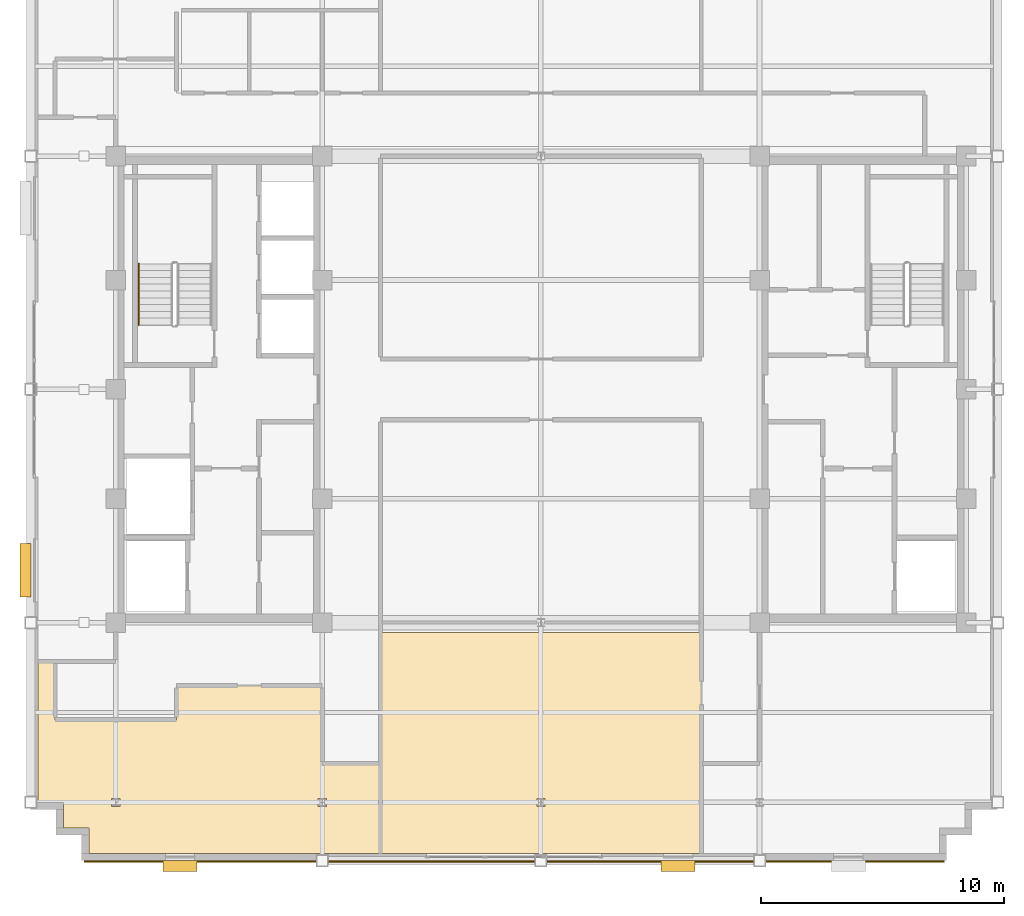
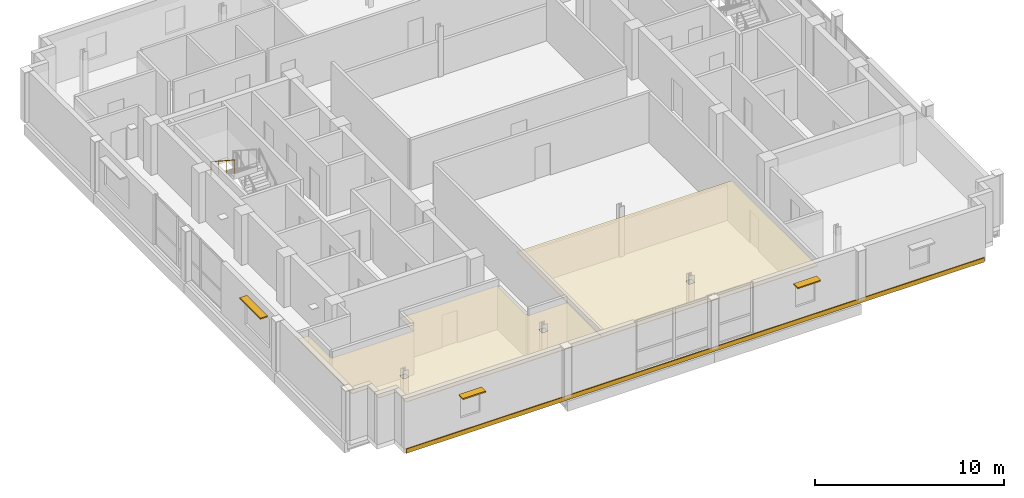
# One storey, part 11 of 15: 3 coverings, 3 shading devices, 1 railing.
"""IFC4 building model written with IfcOpenShell, lengths in metres."""

from ifc_helpers import new_model, si_unit, direction, frame, origin, origin_2d, place, context, subcontext, project, spatial, polyline, rectangle, circle, outline, extrude, source, transform, mapped, material, layer, layer_set, type_object, type_shapes, element, save


model = new_model("IFC4")

# Units and contexts
model_context = context("Model", 3, precision=1e-05, world=origin(), true_north=direction((0.0, 1.0)))
body_context = subcontext(model_context, "Body", "Model", "MODEL_VIEW")
ifc_project = project(units=[si_unit("LENGTHUNIT", "METRE"), si_unit("AREAUNIT", "SQUARE_METRE"), si_unit("VOLUMEUNIT", "CUBIC_METRE"), si_unit("PLANEANGLEUNIT", "RADIAN"), si_unit("MASSUNIT", "GRAM", prefix="KILO")], contexts=[model_context])

# Site, building, storey
site_placement = place(None, origin())
site = spatial("IfcSite", under=ifc_project, at=site_placement, CompositionType="ELEMENT")
building_placement = place(site_placement, origin())
building = spatial("IfcBuilding", under=site, at=building_placement, Name="Nuvemarco Arch Tower", CompositionType="ELEMENT")
storey_placement = place(building_placement, frame((0.0, 0.0, 283.5)))
storey = spatial("IfcBuildingStorey", under=building, at=storey_placement, Name="L75", CompositionType="ELEMENT", Elevation=283.5)

# Coverings
ifc_material_1 = material(Name="Mineral acoustic ceiling tile")
ifc_layer_1 = layer(ifc_material_1, 0.0400390625, Name="COV-ACOUSTIC-CLG")
ifc_layer_set_1 = layer_set([ifc_layer_1], Name="Mineral acoustic ceiling tile")
covering_type_1 = type_object("IfcCoveringType", Name="COV-ACOUSTIC-CLG", PredefinedType="CEILING", material=ifc_layer_set_1)
covering_1_placement = place(storey_placement, frame((0.0, 0.0, 2.72998046875)))
element("IfcCovering", 1, at=covering_1_placement, inside=storey, type_object=covering_type_1, Name="L75 suspended acoustic ceiling 1", PredefinedType="CEILING", context=body_context, shape_type="SweptSolid", body=[
    extrude(outline(polyline([(6.60009765625, -15.39990234375), (6.60009765625, -19.10009765625), (-6.60009765625, -19.10009765625), (-6.60009765625, -15.39990234375), (-6.60009765625, -12.199951171875), (-6.60009765625, -10.0), (6.60009765625, -10.0), (6.60009765625, -15.39990234375)]), holes=[polyline([(0.169921875, -17.169921875), (0.169921875, -16.830078125), (-0.169921875, -16.830078125), (-0.169921875, -17.169921875), (0.169921875, -17.169921875)])]), origin(), (0.0, 0.0, 1.0), 0.0400390625),
])
covering_2_placement = place(storey_placement, frame((0.0, 0.0, 2.72998046875)))
element("IfcCovering", 2, at=covering_2_placement, inside=storey, type_object=covering_type_1, Name="L75 suspended acoustic ceiling 5", PredefinedType="CEILING", context=body_context, shape_type="SweptSolid", body=[
    extrude(outline(polyline([(-20.699951171875, -17.0), (-20.699951171875, -11.199951171875), (-20.0, -11.199951171875), (-20.0, -13.60009765625), (-15.0, -13.60009765625), (-15.0, -12.199951171875), (-9.0, -12.199951171875), (-9.0, -15.39990234375), (-6.60009765625, -15.39990234375), (-6.60009765625, -19.10009765625), (-18.60009765625, -19.10009765625), (-18.60009765625, -18.050048828125), (-19.64990234375, -18.050048828125), (-19.64990234375, -17.0), (-20.699951171875, -17.0)]), holes=[polyline([(-17.330078125, -16.830078125), (-17.669921875, -16.830078125), (-17.669921875, -17.169921875), (-17.330078125, -17.169921875), (-17.330078125, -16.830078125)]), polyline([(-8.830078125, -16.830078125), (-9.169921875, -16.830078125), (-9.169921875, -17.169921875), (-8.830078125, -17.169921875), (-8.830078125, -16.830078125)])]), origin(), (0.0, 0.0, 1.0), 0.0400390625),
])

# Railing
ifc_material_2 = material(Name="Brushed stainless steel handrail", Category="steel")
railing_type = type_object("IfcRailingType", Name="RL-HANDRAIL-900", PredefinedType="HANDRAIL", material=ifc_material_2)
railing_placement = place(storey_placement, frame((-16.550048828125, 5.169921875, 2.007568359375)))
element("IfcRailing", 3, at=railing_placement, inside=storey, type_object=railing_type, Name="L75 ST-1 stair handrail 2", PredefinedType="HANDRAIL", context=body_context, shape_type="SweptSolid", body=[
    extrude(circle(Radius=0.02392578125, at=origin_2d()), frame((0.0, 0.0, 0.8759765625), z_axis=(0.0, -0.837786554691, 0.545997883492), x_axis=(1.0, 0.0, 0.0)), (0.0, 0.0, 1.0), 3.008056640625),
    extrude(circle(Radius=0.02099609375, at=origin_2d()), origin(), (0.0, 0.0, 1.0), 0.851806640625),
    extrude(circle(Radius=0.02099609375, at=origin_2d()), frame((0.0, -0.840087890625, 0.54736328125)), (0.0, 0.0, 1.0), 0.851806640625),
    extrude(circle(Radius=0.02099609375, at=origin_2d()), frame((0.0, -1.679931640625, 1.094970703125)), (0.0, 0.0, 1.0), 0.851806640625),
    extrude(circle(Radius=0.02099609375, at=origin_2d()), frame((0.0, -2.52001953125, 1.642333984375)), (0.0, 0.0, 1.0), 0.851806640625),
])

# Shading devices
ifc_material_3 = material(Name="Anodised aluminium 6063-T6", Category="aluminium")
shading_device_type_1 = type_object("IfcShadingDeviceType", Name="SHD-BRISE-SOLEIL", PredefinedType="USERDEFINED", material=ifc_material_3)
shared_shape_1 = source(origin(), body_context, "Body", "SweptSolid", [
    extrude(rectangle(XDim=2.199951171875, YDim=0.449951171875, at=origin_2d()), origin(), (0.0, 0.0, 1.0), 0.080078125),
])
type_shapes(shading_device_type_1, [shared_shape_1])
shading_device_placement = place(storey_placement, frame((-21.215087890625, -7.450927734375, 2.705078125), z_axis=(0.0, 0.0, 1.0), x_axis=(0.0, 1.0, 0.0)))
element("IfcShadingDevice", 4, at=shading_device_placement, inside=storey, type_object=shading_device_type_1, Name="L75 horizontal brise-soleil sunshade", ObjectType="SUNSHADE", PredefinedType="USERDEFINED", context=body_context, shape_type="MappedRepresentation", body=[
    mapped(shared_shape_1, transform((0.0, 0.0, 0.0), scale=1.0)),
])
shading_device_type_2 = type_object("IfcShadingDeviceType", Name="SHD-BRISE-NARROW", PredefinedType="USERDEFINED", material=ifc_material_3)
shared_shape_2 = source(origin(), body_context, "Body", "SweptSolid", [
    extrude(rectangle(XDim=1.39990234375, YDim=0.449951171875, at=origin_2d()), origin(), (0.0, 0.0, 1.0), 0.080078125),
])
type_shapes(shading_device_type_2, [shared_shape_2])
for number, where, z_axis, x_axis, name in (
    (5, (-14.85009765625, -19.614990234375, 2.284912109375), (0.0, 0.0, 1.0), (1.0, 0.0, 0.0), "L75 horizontal brise-soleil sunshade"),
    (6, (5.64990234375, -19.614990234375, 2.284912109375), (0.0, 0.0, 1.0), (1.0, 0.0, 0.0), "L75 horizontal brise-soleil sunshade"),
):
    element("IfcShadingDevice", number, at=place(storey_placement, frame(where, z_axis=z_axis, x_axis=x_axis)), inside=storey, type_object=shading_device_type_2, Name=name, ObjectType="SUNSHADE", PredefinedType="USERDEFINED", context=body_context, shape_type="MappedRepresentation", body=[
        mapped(shared_shape_2, transform((0.0, 0.0, 0.0), scale=1.0)),
    ])

# Covering
ifc_material_4 = material(Name="Precast concrete C45/55", Category="concrete")
ifc_layer_2 = layer(ifc_material_4, 0.06005859375, Name="COV-SPANDREL-CLAD")
ifc_layer_set_2 = layer_set([ifc_layer_2], Name="Precast concrete C45/55")
covering_type_2 = type_object("IfcCoveringType", Name="COV-SPANDREL-CLAD", PredefinedType="CLADDING", material=ifc_layer_set_2)
shared_shape_3 = source(origin(), body_context, "Body", "SweptSolid", [
    extrude(rectangle(XDim=35.39990234375, YDim=0.06005859375, at=origin_2d()), origin(), (0.0, 0.0, 1.0), 0.280029296875),
])
type_shapes(covering_type_2, [shared_shape_3])
covering_3_placement = place(storey_placement, frame((-1.10009765625, -19.428955078125, -0.27978515625), z_axis=(0.0, 0.0, 1.0), x_axis=(1.0, 0.0, 0.0)))
element("IfcCovering", 7, at=covering_3_placement, inside=storey, type_object=covering_type_2, Name="L75 precast spandrel edge cladding south", PredefinedType="CLADDING", context=body_context, shape_type="MappedRepresentation", body=[
    mapped(shared_shape_3, transform((0.0, 0.0, 0.0), scale=1.0)),
])

save(model, "model.ifc")
